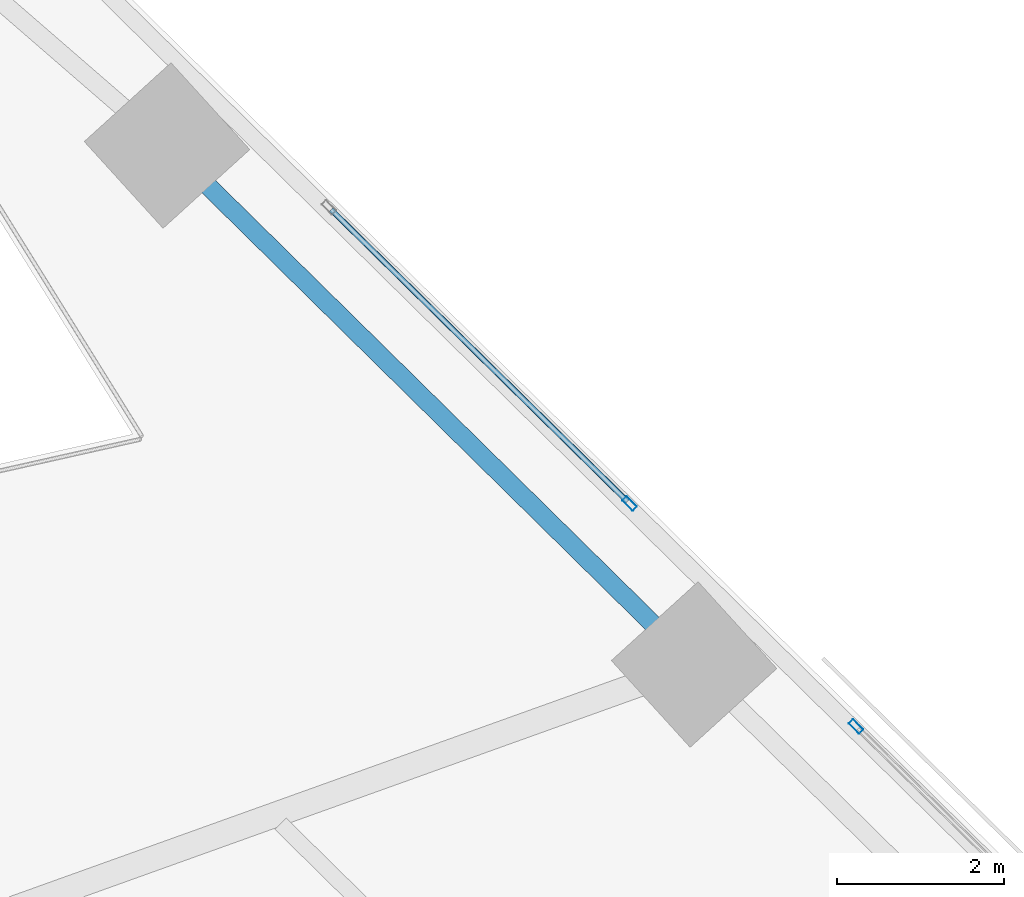
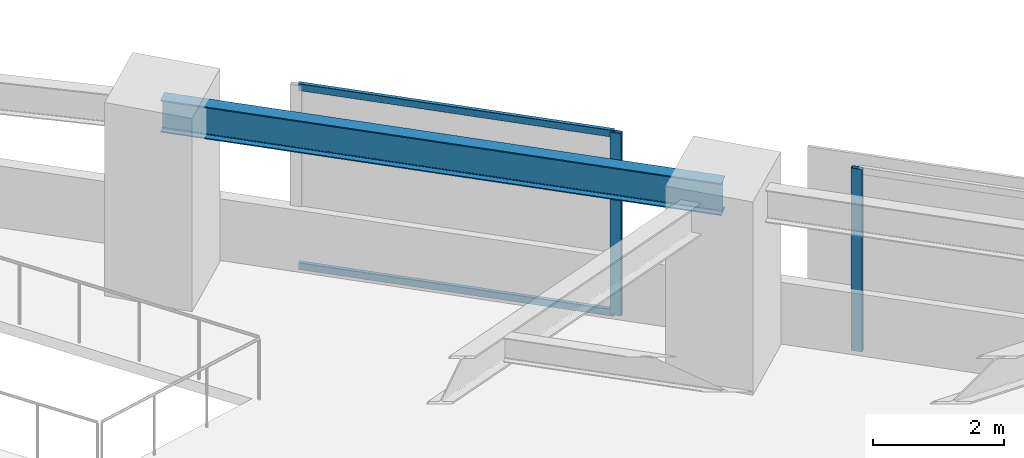
# One storey, part 6 of 17: 4 members, 1 beam, 2 elements without a shape of their own.
"""IFC4 building model written with IfcOpenShell, lengths in metres."""

import ifcopenshell
import ifcopenshell.guid

model = None  # the IFC model being written
_history = None  # IfcOwnerHistory: only IFC2X3 demands one
_inside = {}  # id of a spatial element -> (the spatial element, [elements in it])
_under = {}  # id of a project, library or spatial element -> (it, [spatial elements below it])
_declared = {}  # id of a project -> (the project, [libraries it declares])
_typed = {}  # id of a type object -> (the type object, [elements of that type])
_made_of = {}  # id of a material, layer set ... -> (it, [elements and type objects made of it])


def new_model(schema):
    """Start an empty IFC model of exactly this schema.

    Asked for "IFC4X3", IfcOpenShell would pick the latest addendum, in which some entities
    have other attributes; the version numbers below select the first issue.
    IFC2X3 requires an IfcOwnerHistory on every rooted entity: one is made here for all.
    """
    global model, _history
    if schema == "IFC4X3":
        model = ifcopenshell.file(schema_version=(4, 3, 0, 0))
    else:
        model = ifcopenshell.file(schema=schema)
    _inside.clear()
    _under.clear()
    _declared.clear()
    _typed.clear()
    _made_of.clear()
    _history = None
    if model.schema == "IFC2X3":
        org = make("IfcOrganization", Name="unknown")
        user = make(
            "IfcPersonAndOrganization",
            ThePerson=make("IfcPerson", FamilyName="unknown"),
            TheOrganization=org,
        )
        app = make(
            "IfcApplication",
            ApplicationDeveloper=org,
            Version="unknown",
            ApplicationFullName="unknown",
            ApplicationIdentifier="unknown",
        )
        _history = make(
            "IfcOwnerHistory",
            OwningUser=user,
            OwningApplication=app,
            ChangeAction="ADDED",
            CreationDate=0,
        )
    return model


def make(cls, **values):
    """One entity of the class cls with the attributes given. An attribute that is None is left unset."""
    return model.create_entity(
        cls, **{name: value for name, value in values.items() if value is not None}
    )


def rooted(cls, **values):
    """An entity with a GlobalId (a new one), such as an element, a storey or a relation."""
    return make(cls, GlobalId=ifcopenshell.guid.new(), OwnerHistory=_history, **values)


def si_unit(unit_type, name, prefix=None):
    """IfcSIUnit, for example si_unit("LENGTHUNIT", "METRE", prefix="MILLI")."""
    return make("IfcSIUnit", UnitType=unit_type, Prefix=prefix, Name=name)


def assignment(units):
    """IfcUnitAssignment: the units of a project."""
    return None if units is None else make("IfcUnitAssignment", Units=units)


def point(xyz):
    """IfcCartesianPoint."""
    return None if xyz is None else make("IfcCartesianPoint", Coordinates=xyz)


def direction(xyz):
    """IfcDirection."""
    return None if xyz is None else make("IfcDirection", DirectionRatios=xyz)


def frame(location, z_axis=None, x_axis=None):
    """IfcAxis2Placement3D, a coordinate frame: its origin and axes. An axis left out is left unset."""
    return make(
        "IfcAxis2Placement3D",
        Location=point(location),
        Axis=direction(z_axis),
        RefDirection=direction(x_axis),
    )


def frame_2d(location, x_axis=None):
    """IfcAxis2Placement2D, a coordinate frame in the plane: its origin and x axis."""
    return make(
        "IfcAxis2Placement2D", Location=point(location), RefDirection=direction(x_axis)
    )


def origin():
    """The frame at (0, 0, 0) with its axes left unset."""
    return frame((0.0, 0.0, 0.0))


def origin_2d():
    """The frame at (0, 0) in the plane with its x axis left unset."""
    return frame_2d((0.0, 0.0))


def place(relative_to, where):
    """IfcLocalPlacement: puts the frame where relative to a parent placement (None: the world)."""
    return make(
        "IfcLocalPlacement", PlacementRelTo=relative_to, RelativePlacement=where
    )


def context(
    kind, dimensions, precision=None, world=None, true_north=None, identifier=None
):
    """IfcGeometricRepresentationContext, for example the 3D "Model" context."""
    return make(
        "IfcGeometricRepresentationContext",
        ContextIdentifier=identifier,
        ContextType=kind,
        CoordinateSpaceDimension=dimensions,
        Precision=precision,
        WorldCoordinateSystem=world,
        TrueNorth=true_north,
    )


def subcontext(parent, identifier, kind, view, scale=None):
    """IfcGeometricRepresentationSubContext, for example "Body" below "Model"."""
    return make(
        "IfcGeometricRepresentationSubContext",
        ContextIdentifier=identifier,
        ContextType=kind,
        ParentContext=parent,
        TargetScale=scale,
        TargetView=view,
    )


def project(units=None, contexts=None):
    """IfcProject with its units and contexts."""
    return rooted(
        "IfcProject",
        Name="project",
        RepresentationContexts=contexts,
        UnitsInContext=assignment(units),
    )


def spatial(cls, under=None, at=None, **own):
    """A site, building, storey or space (cls), placed at a placement, below another one or the project."""
    s = rooted(cls, ObjectPlacement=at, **own)
    if under is not None:
        _under.setdefault(under.id(), (under, []))[1].append(s)
    return s


def profile(cls, at=None, kind="AREA", **sizes):
    """A parametric profile (cls). Its sizes go by their IFC names, for example OverallWidth=200.0."""
    return make(cls, ProfileType=kind, Position=at, **sizes)


def hollow_rectangle(**sizes):
    """IfcRectangleHollowProfileDef."""
    return profile("IfcRectangleHollowProfileDef", **sizes)


def i_section(**sizes):
    """IfcIShapeProfileDef."""
    return profile("IfcIShapeProfileDef", **sizes)


def extrude(swept, where, along, depth):
    """IfcExtrudedAreaSolid: the profile swept, set in the frame where, extruded along a direction by depth."""
    return make(
        "IfcExtrudedAreaSolid",
        SweptArea=swept,
        Position=where,
        ExtrudedDirection=direction(along),
        Depth=depth,
    )


def shape(context_of_items, identifier, shape_type, items):
    """IfcShapeRepresentation: the items that make up one representation, for example the "Body"."""
    return make(
        "IfcShapeRepresentation",
        ContextOfItems=context_of_items,
        RepresentationIdentifier=identifier,
        RepresentationType=shape_type,
        Items=items,
    )


def material(Name=None, Category=None):
    """IfcMaterial."""
    return make("IfcMaterial", Name=Name, Category=Category)


def material_profile(
    of_material, cross_section, Name=None, Category=None, Priority=None
):
    """IfcMaterialProfile: a cross section and its material."""
    return make(
        "IfcMaterialProfile",
        Name=Name,
        Material=of_material,
        Profile=cross_section,
        Priority=Priority,
        Category=Category,
    )


def profile_set(profiles, Name=None, composite=None):
    """IfcMaterialProfileSet."""
    return make(
        "IfcMaterialProfileSet",
        Name=Name,
        MaterialProfiles=profiles,
        CompositeProfile=composite,
    )


def made_of(thing, what):
    """Note that an element or type object is made of a material, layer set ...; save() writes the relation."""
    if what is not None:
        _made_of.setdefault(what.id(), (what, []))[1].append(thing)
    return thing


def type_object(cls, material=None, **own):
    """A type object (cls), such as IfcWallType, which elements share."""
    return made_of(rooted(cls, **own), material)


def element(
    cls,
    number,
    at=None,
    inside=None,
    cuts=None,
    type_object=None,
    material=None,
    context=None,
    identifier="Body",
    shape_type=None,
    held_by="IfcProductDefinitionShape",
    body=None,
    shapes=None,
    **own,
):
    """One element of the class cls, such as IfcWall. Its Tag is "e" and its number.

    at: its placement. inside: the storey or other place that contains it. cuts: it is an
    opening in that element (IfcRelVoidsElement). A single representation is given by context,
    identifier, shape_type and body (its items); several are given by shapes. held_by: the class
    of the entity that holds the representations. save() writes the other relations.
    """
    e = rooted(cls, Tag="e%d" % number, ObjectPlacement=at, **own)
    if body is not None:
        shapes = [shape(context, identifier, shape_type, body)]
    if shapes is not None:
        e.Representation = make(held_by, Representations=shapes)
    if inside is not None:
        _inside.setdefault(inside.id(), (inside, []))[1].append(e)
    if cuts is not None:
        rooted(
            "IfcRelVoidsElement", RelatingBuildingElement=cuts, RelatedOpeningElement=e
        )
    if type_object is not None:
        _typed.setdefault(type_object.id(), (type_object, []))[1].append(e)
    return made_of(e, material)


def aggregate(whole, parts):
    """IfcRelAggregates: a whole, such as a stair, and the parts it consists of."""
    return rooted("IfcRelAggregates", RelatingObject=whole, RelatedObjects=parts)


def save(model, path):
    """Write the relations noted so far, then the file.

    IfcRelAggregates (storeys below a building ...), IfcRelContainedInSpatialStructure (elements
    in a storey), IfcRelDefinesByType, IfcRelAssociatesMaterial and IfcRelDeclares: one each for
    every whole, place, type object, material and project.
    """
    for whole, parts in _under.values():
        aggregate(whole, parts)
    for where, things in _inside.values():
        rooted(
            "IfcRelContainedInSpatialStructure",
            RelatedElements=things,
            RelatingStructure=where,
        )
    for kind, things in _typed.values():
        rooted("IfcRelDefinesByType", RelatedObjects=things, RelatingType=kind)
    for what, things in _made_of.values():
        rooted("IfcRelAssociatesMaterial", RelatedObjects=things, RelatingMaterial=what)
    for by, libraries in _declared.values():
        rooted("IfcRelDeclares", RelatingContext=by, RelatedDefinitions=libraries)
    model.write(path)


model = new_model("IFC4")

# Units and contexts
model_context = context("Model", 3, precision=1e-05, world=origin(), true_north=direction((0.0, 1.0)))
body_context = subcontext(model_context, "Body", "Model", "MODEL_VIEW")
ifc_project = project(units=[si_unit("LENGTHUNIT", "METRE"), si_unit("AREAUNIT", "SQUARE_METRE"), si_unit("VOLUMEUNIT", "CUBIC_METRE"), si_unit("PLANEANGLEUNIT", "RADIAN"), si_unit("MASSUNIT", "GRAM", prefix="KILO")], contexts=[model_context])

# Site, building, storey
site_placement = place(None, origin())
site = spatial("IfcSite", under=ifc_project, at=site_placement, CompositionType="ELEMENT")
building_placement = place(site_placement, origin())
building = spatial("IfcBuilding", under=site, at=building_placement, Name="Narakoshi Arena Tower", CompositionType="ELEMENT")
storey_placement = place(building_placement, frame((0.0, 0.0, 51.89990234375)))
storey = spatial("IfcBuildingStorey", under=building, at=storey_placement, Name="L13", CompositionType="ELEMENT", Elevation=51.89990234375)

# Beam
ifc_material_1 = material(Name="Structural steel S355J2", Category="steel")
ifc_material_profile_1 = material_profile(ifc_material_1, i_section(OverallWidth=0.219970703125, OverallDepth=0.60009765625, WebThickness=0.011962890625, FlangeThickness=0.01904296875, FilletRadius=0.02392578125, at=origin_2d()), Name="IPE600")
ifc_profile_set_1 = profile_set([ifc_material_profile_1], Name="Structural steel S355J2")
beam_type = type_object("IfcBeamType", Name="BM-EDGE-600", PredefinedType="BEAM", material=ifc_profile_set_1)
beam_placement = place(storey_placement, frame((102.345458984375, 49.373779296875, 3.10009765625), z_axis=(-0.712540689328, 0.70163079041, 0.0), x_axis=(-0.70163079041, -0.712540689328, 0.0)))
element("IfcBeam", 1, at=beam_placement, inside=storey, type_object=beam_type, Name="L13 Perimeter Edge Girder 07", PredefinedType="BEAM", context=body_context, shape_type="SweptSolid", body=[
    extrude(i_section(OverallWidth=0.219970703125, OverallDepth=0.60009765625, WebThickness=0.011962890625, FlangeThickness=0.01904296875, FilletRadius=0.02392578125, at=origin_2d()), origin(), (0.0, 0.0, 1.0), 8.83935546875),
])

# Curtain wall, member
ifc_material_2 = material(Name="Anodised bronze aluminium 6063-T6", Category="aluminium")
curtain_wall_type = type_object("IfcCurtainWallType", Name="CW-HYP-LOW", PredefinedType="NOTDEFINED", material=ifc_material_2)
curtain_wall_1_placement = place(storey_placement, origin())
curtain_wall_1 = element("IfcCurtainWall", 2, at=curtain_wall_1_placement, inside=storey, type_object=curtain_wall_type, Name="L13 Folded Hypotenuse Curtain Wall 1-3", PredefinedType="NOTDEFINED")
ifc_material_profile_2 = material_profile(ifc_material_2, hollow_rectangle(XDim=0.074951171875, YDim=0.179931640625, WallThickness=0.00390625, OuterFilletRadius=0.0048828125, at=origin_2d()), Name="MUL180x75x4")
ifc_profile_set_2 = profile_set([ifc_material_profile_2], Name="Anodised bronze aluminium 6063-T6")
member_type_1 = type_object("IfcMemberType", Name="MEM-MUL-180", PredefinedType="MULLION", material=ifc_profile_set_2)
member_1_placement = place(storey_placement, frame((104.280517578125, 48.63330078125, 0.0), z_axis=(0.0, 0.0, 1.0), x_axis=(-0.701632802488, -0.712538708053, 0.0)))
member_1 = element("IfcMember", 3, at=member_1_placement, type_object=member_type_1, Name="CW-01 mullion 2", PredefinedType="MULLION", context=body_context, shape_type="SweptSolid", body=[
    extrude(hollow_rectangle(XDim=0.074951171875, YDim=0.179931640625, WallThickness=0.00390625, OuterFilletRadius=0.0048828125, at=origin_2d()), origin(), (0.0, 0.0, 1.0), 3.400146484375),
])
aggregate(curtain_wall_1, [member_1])

# Curtain wall, members
curtain_wall_2_placement = place(storey_placement, origin())
curtain_wall_2 = element("IfcCurtainWall", 4, at=curtain_wall_2_placement, inside=storey, type_object=curtain_wall_type, Name="L13 Folded Hypotenuse Curtain Wall 1-4", PredefinedType="NOTDEFINED")
member_2_placement = place(storey_placement, frame((101.574462890625, 51.2978515625, 0.0), z_axis=(0.0, 0.0, 1.0), x_axis=(-0.701632802488, -0.712538708053, 0.0)))
member_2 = element("IfcMember", 5, at=member_2_placement, type_object=member_type_1, Name="CW-01 mullion 1", PredefinedType="MULLION", context=body_context, shape_type="SweptSolid", body=[
    extrude(hollow_rectangle(XDim=0.074951171875, YDim=0.179931640625, WallThickness=0.00390625, OuterFilletRadius=0.0048828125, at=origin_2d()), origin(), (0.0, 0.0, 1.0), 3.400146484375),
])
ifc_material_profile_3 = material_profile(ifc_material_2, hollow_rectangle(XDim=0.06494140625, YDim=0.1298828125, WallThickness=0.00390625, OuterFilletRadius=0.0048828125, at=origin_2d()), Name="TRN130x65x4")
ifc_profile_set_3 = profile_set([ifc_material_profile_3], Name="Anodised bronze aluminium 6063-T6")
member_type_2 = type_object("IfcMemberType", Name="MEM-TRN-130", PredefinedType="USERDEFINED", material=ifc_profile_set_3)
member_3_placement = place(storey_placement, frame((101.547607421875, 51.32421875, 0.03271484375), z_axis=(-0.712542243067, 0.701629212508, 0.0), x_axis=(-0.701629212508, -0.712542243067, 0.0)))
member_3 = element("IfcMember", 6, at=member_3_placement, type_object=member_type_2, Name="CW-01 transom 1.1", ObjectType="TRANSOM", PredefinedType="USERDEFINED", context=body_context, shape_type="SweptSolid", body=[
    extrude(hollow_rectangle(XDim=0.06494140625, YDim=0.1298828125, WallThickness=0.00390625, OuterFilletRadius=0.0048828125, at=origin_2d()), origin(), (0.0, 0.0, 1.0), 4.966552734375),
])
member_4_placement = place(storey_placement, frame((101.547607421875, 51.32421875, 3.36767578125), z_axis=(-0.712542243067, 0.701629212508, 0.0), x_axis=(-0.701629212508, -0.712542243067, 0.0)))
member_4 = element("IfcMember", 7, at=member_4_placement, type_object=member_type_2, Name="CW-01 transom 1.2", ObjectType="TRANSOM", PredefinedType="USERDEFINED", context=body_context, shape_type="SweptSolid", body=[
    extrude(hollow_rectangle(XDim=0.06494140625, YDim=0.1298828125, WallThickness=0.00390625, OuterFilletRadius=0.0048828125, at=origin_2d()), origin(), (0.0, 0.0, 1.0), 4.966552734375),
])
aggregate(curtain_wall_2, [member_2, member_3, member_4])

save(model, "model.ifc")
